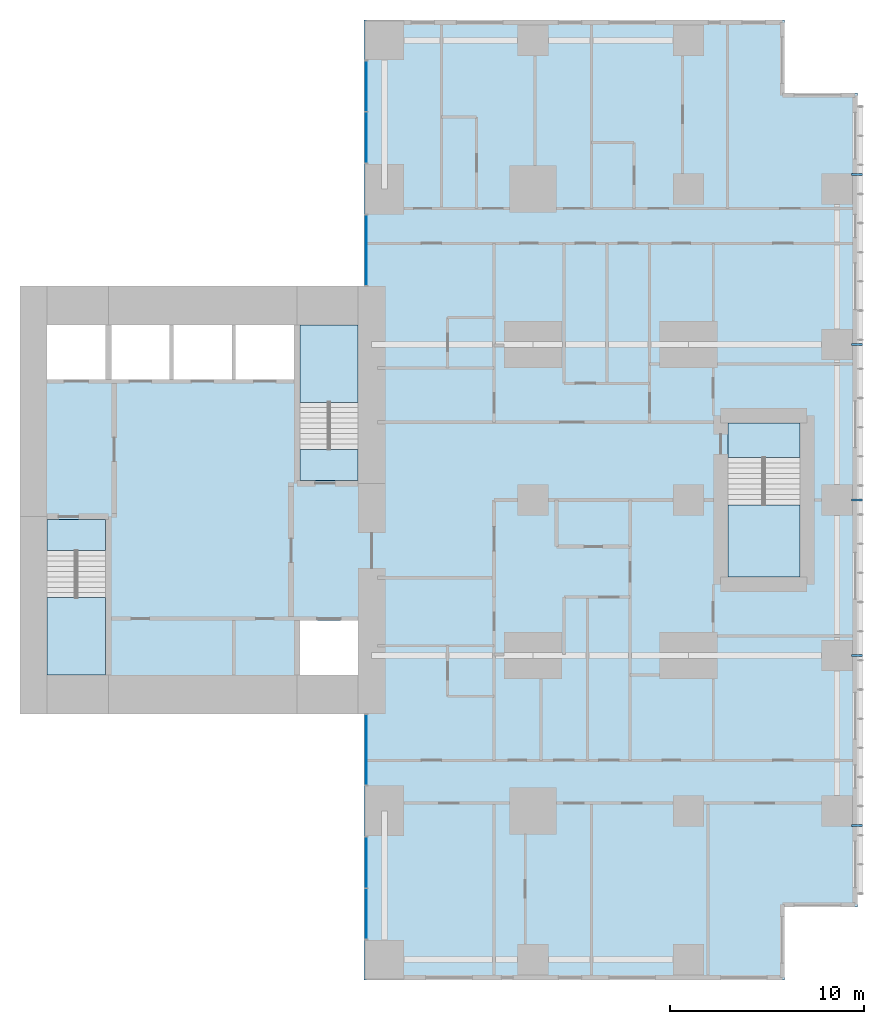
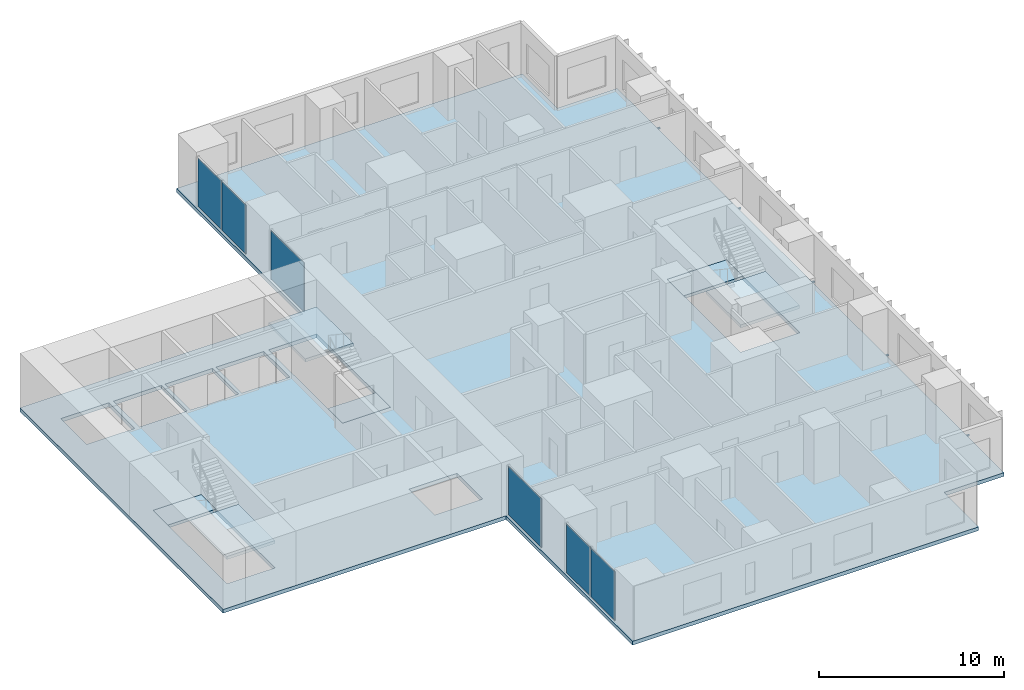
# One storey, part 4 of 12: 7 slabs, 6 plates, 5 members, 7 elements without a shape of their own.
"""IFC4 building model written with IfcOpenShell, lengths in metres."""

from ifc_helpers import new_model, si_unit, direction, frame, origin, origin_2d, place, context, subcontext, project, spatial, polyline, rectangle, hollow_rectangle, outline, extrude, material, layer, layer_set, material_profile, profile_set, type_object, element, aggregate, save


model = new_model("IFC4")

# Units and contexts
model_context = context("Model", 3, precision=1e-05, world=origin(), true_north=direction((0.0, 1.0)))
body_context = subcontext(model_context, "Body", "Model", "MODEL_VIEW")
ifc_project = project(units=[si_unit("LENGTHUNIT", "METRE"), si_unit("AREAUNIT", "SQUARE_METRE"), si_unit("VOLUMEUNIT", "CUBIC_METRE"), si_unit("PLANEANGLEUNIT", "RADIAN"), si_unit("MASSUNIT", "GRAM", prefix="KILO")], contexts=[model_context])

# Site, building, storey
site_placement = place(None, origin())
site = spatial("IfcSite", under=ifc_project, at=site_placement, CompositionType="ELEMENT")
building_placement = place(site_placement, origin())
building = spatial("IfcBuilding", under=site, at=building_placement, Name="Cleftline Residences", CompositionType="ELEMENT")
storey_placement = place(building_placement, frame((0.0, 0.0, 248.39990234375)))
storey = spatial("IfcBuildingStorey", under=building, at=storey_placement, Name="L65", CompositionType="ELEMENT", Elevation=248.39990234375)

# Members
ifc_material_1 = material(Name="Steel S355, hot-dip galvanised", Category="steel")
ifc_material_profile = material_profile(ifc_material_1, hollow_rectangle(XDim=0.10009765625, YDim=0.10009765625, WallThickness=0.008056640625, InnerFilletRadius=0.008056640625, OuterFilletRadius=0.011962890625, at=origin_2d()))
ifc_profile_set = profile_set([ifc_material_profile], Name="Steel S355, hot-dip galvanised")
member_type = type_object("IfcMemberType", Name="BAGUETTE BRACKET SHS 100X100X8", PredefinedType="USERDEFINED", material=ifc_profile_set)
for number, where, z_axis, x_axis, name in (
    (1, (66.39990234375, 7.25, -0.14990234375), (1.0, 0.0, 0.0), (0.0, 1.0, 0.0), "Baguette bracket"),
    (2, (66.39990234375, 16.0, -0.14990234375), (1.0, 0.0, 0.0), (0.0, 1.0, 0.0), "Baguette bracket"),
    (3, (66.39990234375, 24.0, -0.14990234375), (1.0, 0.0, 0.0), (0.0, 1.0, 0.0), "Baguette bracket"),
    (4, (66.39990234375, 32.0, -0.14990234375), (1.0, 0.0, 0.0), (0.0, 1.0, 0.0), "Baguette bracket"),
    (5, (66.39990234375, 40.75, -0.14990234375), (1.0, 0.0, 0.0), (0.0, 1.0, 0.0), "Baguette bracket"),
):
    element("IfcMember", number, at=place(storey_placement, frame(where, z_axis=z_axis, x_axis=x_axis)), inside=storey, type_object=member_type, Name=name, ObjectType="BAGUETTE BRACKET", PredefinedType="USERDEFINED", context=body_context, shape_type="SweptSolid", body=[
        extrude(hollow_rectangle(XDim=0.10009765625, YDim=0.10009765625, WallThickness=0.008056640625, InnerFilletRadius=0.008056640625, OuterFilletRadius=0.011962890625, at=origin_2d()), origin(), (0.0, 0.0, 1.0), 0.550048828125),
    ])

# Curtain wall, plate
ifc_material_2 = material(Name="Aluminium framed curtain wall", Category="aluminium")
ifc_layer_1 = layer(ifc_material_2, 0.199951171875)
ifc_layer_set_1 = layer_set([ifc_layer_1], Name="CW1 CLEFT GLAZING")
curtain_wall_type = type_object("IfcCurtainWallType", Name="CW1 CLEFT GLAZING", PredefinedType="NOTDEFINED", material=ifc_layer_set_1)
curtain_wall_1_placement = place(storey_placement, origin())
curtain_wall_1 = element("IfcCurtainWall", 6, at=curtain_wall_1_placement, inside=storey, type_object=curtain_wall_type, Name="Curtain wall CW1", PredefinedType="NOTDEFINED")
ifc_material_3 = material(Name="Laminated clear glass", Category="glass")
ifc_layer_2 = layer(ifc_material_3, 0.028076171875)
ifc_layer_set_2 = layer_set([ifc_layer_2], Name="CW1 GLASS PANEL")
plate_type = type_object("IfcPlateType", Name="CW1 GLASS PANEL", PredefinedType="CURTAIN_PANEL", material=ifc_layer_set_2)
plate_1_placement = place(storey_placement, frame((41.425048828125, 11.14990234375, 0.06005859375), z_axis=(0.0, 0.0, 1.0), x_axis=(0.0, -1.0, 0.0)))
plate_1 = element("IfcPlate", 7, at=plate_1_placement, type_object=plate_type, Name="CW1 panel 1.1", PredefinedType="CURTAIN_PANEL", context=body_context, shape_type="SweptSolid", body=[
    extrude(rectangle(XDim=3.580078125, YDim=0.028076171875, at=origin_2d()), origin(), (0.0, 0.0, 1.0), 3.22998046875),
])
aggregate(curtain_wall_1, [plate_1])

# Curtain wall, plates
curtain_wall_2_placement = place(storey_placement, origin())
curtain_wall_2 = element("IfcCurtainWall", 8, at=curtain_wall_2_placement, inside=storey, type_object=curtain_wall_type, Name="Curtain wall CW1", PredefinedType="NOTDEFINED")
plate_2_placement = place(storey_placement, frame((41.425048828125, 5.347412109375, 0.06005859375), z_axis=(0.0, 0.0, 1.0), x_axis=(0.0, -1.0, 0.0)))
plate_2 = element("IfcPlate", 9, at=plate_2_placement, type_object=plate_type, Name="CW1 panel 1.1", PredefinedType="CURTAIN_PANEL", context=body_context, shape_type="SweptSolid", body=[
    extrude(rectangle(XDim=2.5849609375, YDim=0.028076171875, at=origin_2d()), origin(), (0.0, 0.0, 1.0), 3.22998046875),
])
plate_3_placement = place(storey_placement, frame((41.425048828125, 2.702392578125, 0.06005859375), z_axis=(0.0, 0.0, 1.0), x_axis=(0.0, -1.0, 0.0)))
plate_3 = element("IfcPlate", 10, at=plate_3_placement, type_object=plate_type, Name="CW1 panel 2.1", PredefinedType="CURTAIN_PANEL", context=body_context, shape_type="SweptSolid", body=[
    extrude(rectangle(XDim=2.5849609375, YDim=0.028076171875, at=origin_2d()), origin(), (0.0, 0.0, 1.0), 3.22998046875),
])
aggregate(curtain_wall_2, [plate_2, plate_3])

curtain_wall_3_placement = place(storey_placement, origin())
curtain_wall_3 = element("IfcCurtainWall", 11, at=curtain_wall_3_placement, inside=storey, type_object=curtain_wall_type, Name="Curtain wall CW1", PredefinedType="NOTDEFINED")
plate_4_placement = place(storey_placement, frame((41.425048828125, 45.297607421875, 0.06005859375), z_axis=(0.0, 0.0, 1.0), x_axis=(0.0, -1.0, 0.0)))
plate_4 = element("IfcPlate", 12, at=plate_4_placement, type_object=plate_type, Name="CW1 panel 1.1", PredefinedType="CURTAIN_PANEL", context=body_context, shape_type="SweptSolid", body=[
    extrude(rectangle(XDim=2.5849609375, YDim=0.028076171875, at=origin_2d()), origin(), (0.0, 0.0, 1.0), 3.22998046875),
])
plate_5_placement = place(storey_placement, frame((41.425048828125, 42.652587890625, 0.06005859375), z_axis=(0.0, 0.0, 1.0), x_axis=(0.0, -1.0, 0.0)))
plate_5 = element("IfcPlate", 13, at=plate_5_placement, type_object=plate_type, Name="CW1 panel 2.1", PredefinedType="CURTAIN_PANEL", context=body_context, shape_type="SweptSolid", body=[
    extrude(rectangle(XDim=2.5849609375, YDim=0.028076171875, at=origin_2d()), origin(), (0.0, 0.0, 1.0), 3.22998046875),
])
aggregate(curtain_wall_3, [plate_4, plate_5])

# Curtain wall, plate
curtain_wall_4_placement = place(storey_placement, origin())
curtain_wall_4 = element("IfcCurtainWall", 14, at=curtain_wall_4_placement, inside=storey, type_object=curtain_wall_type, Name="Curtain wall CW1", PredefinedType="NOTDEFINED")
plate_6_placement = place(storey_placement, frame((41.425048828125, 36.85009765625, 0.06005859375), z_axis=(0.0, 0.0, 1.0), x_axis=(0.0, -1.0, 0.0)))
plate_6 = element("IfcPlate", 15, at=plate_6_placement, type_object=plate_type, Name="CW1 panel 1.1", PredefinedType="CURTAIN_PANEL", context=body_context, shape_type="SweptSolid", body=[
    extrude(rectangle(XDim=3.580078125, YDim=0.028076171875, at=origin_2d()), origin(), (0.0, 0.0, 1.0), 3.22998046875),
])
aggregate(curtain_wall_4, [plate_6])

# Slab
ifc_material_4 = material(Name="Concrete B45", Category="concrete")
ifc_layer_3 = layer(ifc_material_4, 0.25)
ifc_layer_set_3 = layer_set([ifc_layer_3], Name="FLOOR SLAB 250")
slab_type_1 = type_object("IfcSlabType", Name="FLOOR SLAB 250", PredefinedType="FLOOR", material=ifc_layer_set_3)
slab_1_placement = place(storey_placement, frame((0.0, 0.0, -0.25)))
element("IfcSlab", 16, at=slab_1_placement, inside=storey, type_object=slab_type_1, Name="Floor slab L65", PredefinedType="FLOOR", context=body_context, shape_type="SweptSolid", body=[
    extrude(outline(polyline([(41.300048828125, 13.0), (41.300048828125, -0.699951171875), (62.949951171875, -0.699951171875), (62.949951171875, 3.050048828125), (66.699951171875, 3.050048828125), (66.699951171875, 44.949951171875), (62.949951171875, 44.949951171875), (62.949951171875, 48.699951171875), (41.300048828125, 48.699951171875), (41.300048828125, 35.0), (23.60009765625, 35.0), (23.60009765625, 13.0), (41.300048828125, 13.0)]), holes=[polyline([(28.0, 15.0), (28.0, 23.0), (25.0, 23.0), (25.0, 15.0), (28.0, 15.0)]), polyline([(41.0, 25.0), (41.0, 33.0), (38.0, 33.0), (38.0, 25.0), (41.0, 25.0)]), polyline([(28.0, 30.199951171875), (28.0, 33.0), (25.0, 33.0), (25.0, 30.199951171875), (28.0, 30.199951171875)]), polyline([(41.0, 15.0), (41.0, 17.800048828125), (38.0, 17.800048828125), (38.0, 15.0), (41.0, 15.0)]), polyline([(31.300048828125, 30.199951171875), (31.300048828125, 33.0), (28.300048828125, 33.0), (28.300048828125, 30.199951171875), (31.300048828125, 30.199951171875)]), polyline([(34.5, 30.199951171875), (34.5, 33.0), (31.5, 33.0), (31.5, 30.199951171875), (34.5, 30.199951171875)]), polyline([(37.699951171875, 30.199951171875), (37.699951171875, 33.0), (34.699951171875, 33.0), (34.699951171875, 30.199951171875), (37.699951171875, 30.199951171875)]), polyline([(63.72509765625, 20.02490234375), (63.72509765625, 27.97509765625), (60.02490234375, 27.97509765625), (60.02490234375, 20.02490234375), (63.72509765625, 20.02490234375)])]), origin(), (0.0, 0.0, 1.0), 0.25),
])

# Stair, slabs
ifc_material_5 = material(Name="Concrete B45, stone treads", Category="masonry")
stair_type_1 = type_object("IfcStairType", Name="STAIR A 1450 WIDE 180 RISER", PredefinedType="HALF_TURN_STAIR", material=ifc_material_5)
stair_1_placement = place(storey_placement, origin())
stair_1 = element("IfcStair", 17, at=stair_1_placement, inside=storey, type_object=stair_type_1, Name="Stair A L65", PredefinedType="HALF_TURN_STAIR")
ifc_material_6 = material(Name="Concrete B45", Category="concrete")
ifc_layer_4 = layer(ifc_material_6, 0.199951171875)
ifc_layer_set_4 = layer_set([ifc_layer_4], Name="STAIR LANDING 200")
slab_type_2 = type_object("IfcSlabType", Name="STAIR LANDING 200", PredefinedType="LANDING", material=ifc_layer_set_4)
slab_2_placement = place(storey_placement, frame((0.0, 0.0, -0.199951171875)))
slab_2 = element("IfcSlab", 18, at=slab_2_placement, type_object=slab_type_2, Name="ST-A landing 1", PredefinedType="LANDING", context=body_context, shape_type="SweptSolid", body=[
    extrude(outline(polyline([(25.0, 21.39990234375), (28.0, 21.39990234375), (28.0, 23.0), (25.0, 23.0), (25.0, 21.39990234375)])), origin(), (0.0, 0.0, 1.0), 0.199951171875),
])
slab_3_placement = place(storey_placement, frame((0.0, 0.0, 1.60009765625)))
slab_3 = element("IfcSlab", 19, at=slab_3_placement, type_object=slab_type_2, Name="ST-A landing 2", PredefinedType="LANDING", context=body_context, shape_type="SweptSolid", body=[
    extrude(outline(polyline([(25.0, 15.0), (28.0, 15.0), (28.0, 18.969970703125), (25.0, 18.969970703125), (25.0, 15.0)])), origin(), (0.0, 0.0, 1.0), 0.199951171875),
])
aggregate(stair_1, [slab_2, slab_3])

ifc_material_7 = material(Name="Concrete B45, stone treads", Category="masonry")
stair_type_2 = type_object("IfcStairType", Name="STAIR B 1450 WIDE 180 RISER", PredefinedType="HALF_TURN_STAIR", material=ifc_material_7)
stair_2_placement = place(storey_placement, origin())
stair_2 = element("IfcStair", 20, at=stair_2_placement, inside=storey, type_object=stair_type_2, Name="Stair B L65", PredefinedType="HALF_TURN_STAIR")
slab_4_placement = place(storey_placement, frame((0.0, 0.0, -0.199951171875)))
slab_4 = element("IfcSlab", 21, at=slab_4_placement, type_object=slab_type_2, Name="ST-B landing 1", PredefinedType="LANDING", context=body_context, shape_type="SweptSolid", body=[
    extrude(outline(polyline([(38.0, 25.0), (41.0, 25.0), (41.0, 26.60009765625), (38.0, 26.60009765625), (38.0, 25.0)])), origin(), (0.0, 0.0, 1.0), 0.199951171875),
])
slab_5_placement = place(storey_placement, frame((0.0, 0.0, 1.60009765625)))
slab_5 = element("IfcSlab", 22, at=slab_5_placement, type_object=slab_type_2, Name="ST-B landing 2", PredefinedType="LANDING", context=body_context, shape_type="SweptSolid", body=[
    extrude(outline(polyline([(38.0, 29.030029296875), (41.0, 29.030029296875), (41.0, 33.0), (38.0, 33.0), (38.0, 29.030029296875)])), origin(), (0.0, 0.0, 1.0), 0.199951171875),
])
aggregate(stair_2, [slab_4, slab_5])

ifc_material_8 = material(Name="Concrete B45, stone treads", Category="masonry")
stair_type_3 = type_object("IfcStairType", Name="STAIR E 1800 WIDE 180 RISER", PredefinedType="HALF_TURN_STAIR", material=ifc_material_8)
stair_3_placement = place(storey_placement, origin())
stair_3 = element("IfcStair", 23, at=stair_3_placement, inside=storey, type_object=stair_type_3, Name="Stair E L65", PredefinedType="HALF_TURN_STAIR")
slab_6_placement = place(storey_placement, frame((0.0, 0.0, -0.199951171875)))
slab_6 = element("IfcSlab", 24, at=slab_6_placement, type_object=slab_type_2, Name="ST-E landing 1", PredefinedType="LANDING", context=body_context, shape_type="SweptSolid", body=[
    extrude(outline(polyline([(60.02490234375, 26.175048828125), (63.72509765625, 26.175048828125), (63.72509765625, 27.97509765625), (60.02490234375, 27.97509765625), (60.02490234375, 26.175048828125)])), origin(), (0.0, 0.0, 1.0), 0.199951171875),
])
slab_7_placement = place(storey_placement, frame((0.0, 0.0, 1.60009765625)))
slab_7 = element("IfcSlab", 25, at=slab_7_placement, type_object=slab_type_2, Name="ST-E landing 2", PredefinedType="LANDING", context=body_context, shape_type="SweptSolid", body=[
    extrude(outline(polyline([(60.02490234375, 20.02490234375), (63.72509765625, 20.02490234375), (63.72509765625, 23.7451171875), (60.02490234375, 23.7451171875), (60.02490234375, 20.02490234375)])), origin(), (0.0, 0.0, 1.0), 0.199951171875),
])
aggregate(stair_3, [slab_6, slab_7])

save(model, "model.ifc")
